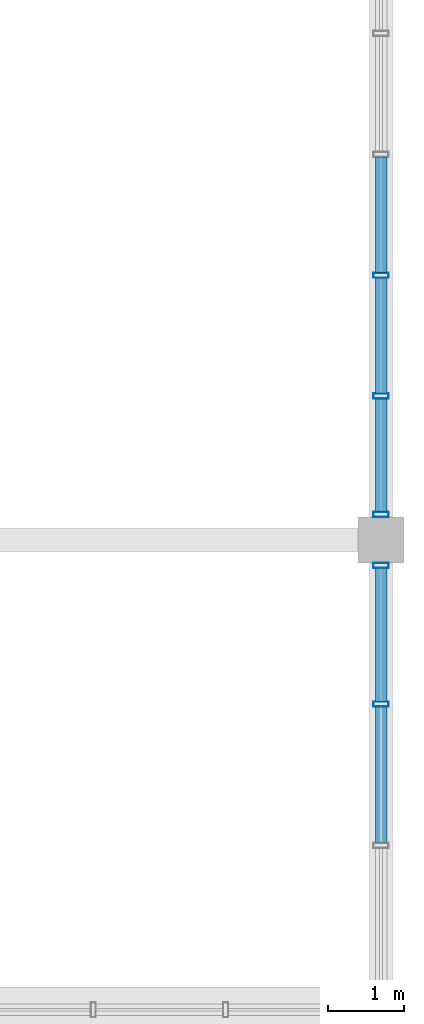
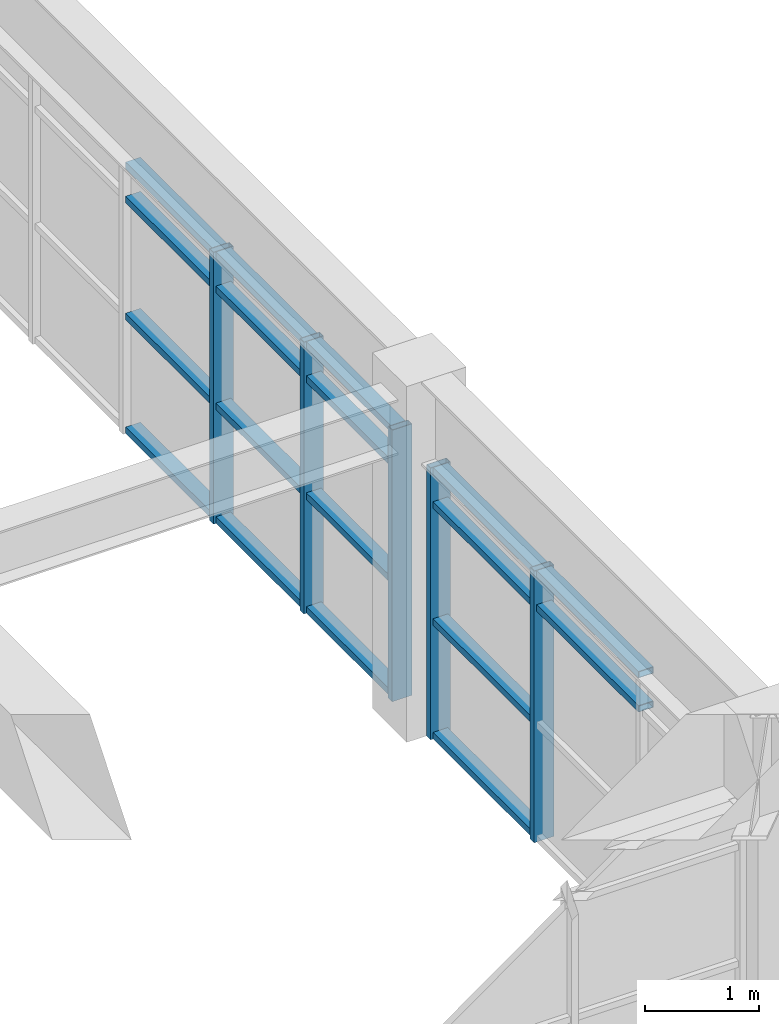
# One storey, part 8 of 28: 23 members, 2 elements without a shape of their own.
"""IFC4 building model written with IfcOpenShell, lengths in metres."""

from ifc_helpers import new_model, si_unit, direction, frame, origin, origin_2d, place, context, subcontext, project, spatial, hollow_rectangle, extrude, source, transform, mapped, material, layer, layer_set, material_profile, profile_set, type_object, element, aggregate, save


model = new_model("IFC4")

# Units and contexts
model_context = context("Model", 3, precision=1e-05, world=origin(), true_north=direction((0.0, 1.0)))
body_context = subcontext(model_context, "Body", "Model", "MODEL_VIEW")
ifc_project = project(units=[si_unit("LENGTHUNIT", "METRE"), si_unit("AREAUNIT", "SQUARE_METRE"), si_unit("VOLUMEUNIT", "CUBIC_METRE"), si_unit("PLANEANGLEUNIT", "RADIAN"), si_unit("MASSUNIT", "GRAM", prefix="KILO")], contexts=[model_context])

# Site, building, storey
site_placement = place(None, origin())
site = spatial("IfcSite", under=ifc_project, at=site_placement, CompositionType="ELEMENT")
building_placement = place(site_placement, origin())
building = spatial("IfcBuilding", under=site, at=building_placement, Name="Saelheon Loggia Tower", CompositionType="ELEMENT")
storey_placement = place(building_placement, frame((0.0, 0.0, 271.199951171875)))
storey = spatial("IfcBuildingStorey", under=building, at=storey_placement, Name="CR6", CompositionType="ELEMENT", Elevation=271.199951171875)

# Curtain wall, members
ifc_material_1 = material(Name="Bronze-Anodised Aluminium and Fritted Ceramic Screen", Category="aluminium")
ifc_layer = layer(ifc_material_1, 0.219970703125)
ifc_layer_set = layer_set([ifc_layer], Name="Bronze-Anodised Aluminium and Fritted Ceramic Screen")
curtain_wall_type = type_object("IfcCurtainWallType", Name="CW_CrownScreen", PredefinedType="NOTDEFINED", material=ifc_layer_set)
curtain_wall_1_placement = place(storey_placement, origin())
curtain_wall_1 = element("IfcCurtainWall", 1, at=curtain_wall_1_placement, inside=storey, type_object=curtain_wall_type, Name="CR6 Crown Screen Curtain Wall 3-1", PredefinedType="NOTDEFINED")
ifc_material_2 = material(Name="Bronze-Anodised Aluminium 6063-T6", Category="aluminium")
ifc_material_profile_1 = material_profile(ifc_material_2, hollow_rectangle(XDim=0.070068359375, YDim=0.199951171875, WallThickness=0.0048828125, at=origin_2d()), Name="RHS-200x70x5")
ifc_profile_set_1 = profile_set([ifc_material_profile_1], Name="Bronze-Anodised Aluminium 6063-T6")
member_type_1 = type_object("IfcMemberType", Name="CW_CrownScreen_Mullion", PredefinedType="MULLION", material=ifc_profile_set_1)
shared_shape_1 = source(origin(), body_context, "Body", "SweptSolid", [
    extrude(hollow_rectangle(XDim=0.070068359375, YDim=0.199951171875, WallThickness=0.0048828125, at=origin_2d()), origin(), (0.0, 0.0, 1.0), 2.900146484375),
])
member_1_placement = place(storey_placement, frame((52.64990234375, 15.85009765625, 0.0), z_axis=(0.0, 0.0, 1.0), x_axis=(0.0, 1.0, 0.0)))
member_1 = element("IfcMember", 2, at=member_1_placement, type_object=member_type_1, Name="CW6 mullion 3", PredefinedType="MULLION", context=body_context, shape_type="MappedRepresentation", body=[
    mapped(shared_shape_1, transform((0.0, 0.0, 0.0), scale=1.0)),
])
member_2_placement = place(storey_placement, frame((52.64990234375, 17.6650390625, 0.0), z_axis=(0.0, 0.0, 1.0), x_axis=(0.0, 1.0, 0.0)))
member_2 = element("IfcMember", 3, at=member_2_placement, type_object=member_type_1, Name="CW6 mullion 4", PredefinedType="MULLION", context=body_context, shape_type="MappedRepresentation", body=[
    mapped(shared_shape_1, transform((0.0, 0.0, 0.0), scale=1.0)),
])

curtain_wall_2_placement = place(storey_placement, origin())
curtain_wall_2 = element("IfcCurtainWall", 4, at=curtain_wall_2_placement, inside=storey, type_object=curtain_wall_type, Name="CR6 Crown Screen Curtain Wall 3-2", PredefinedType="NOTDEFINED")
member_3_placement = place(storey_placement, frame((52.64990234375, 18.3349609375, 0.0), z_axis=(0.0, 0.0, 1.0), x_axis=(0.0, 1.0, 0.0)))
member_3 = element("IfcMember", 5, at=member_3_placement, type_object=member_type_1, Name="CW6 mullion 1", PredefinedType="MULLION", context=body_context, shape_type="MappedRepresentation", body=[
    mapped(shared_shape_1, transform((0.0, 0.0, 0.0), scale=1.0)),
])
member_4_placement = place(storey_placement, frame((52.64990234375, 19.8818359375, 0.0), z_axis=(0.0, 0.0, 1.0), x_axis=(0.0, 1.0, 0.0)))
member_4 = element("IfcMember", 6, at=member_4_placement, type_object=member_type_1, Name="CW6 mullion 2", PredefinedType="MULLION", context=body_context, shape_type="MappedRepresentation", body=[
    mapped(shared_shape_1, transform((0.0, 0.0, 0.0), scale=1.0)),
])
member_5_placement = place(storey_placement, frame((52.64990234375, 21.463623046875, 0.0), z_axis=(0.0, 0.0, 1.0), x_axis=(0.0, 1.0, 0.0)))
member_5 = element("IfcMember", 7, at=member_5_placement, type_object=member_type_1, Name="CW6 mullion 3", PredefinedType="MULLION", context=body_context, shape_type="MappedRepresentation", body=[
    mapped(shared_shape_1, transform((0.0, 0.0, 0.0), scale=1.0)),
])

# Member
ifc_material_profile_2 = material_profile(ifc_material_2, hollow_rectangle(XDim=0.070068359375, YDim=0.14990234375, WallThickness=0.0048828125, at=origin_2d()), Name="RHS-150x70x5")
ifc_profile_set_2 = profile_set([ifc_material_profile_2], Name="Bronze-Anodised Aluminium 6063-T6")
member_type_2 = type_object("IfcMemberType", Name="CW_CrownScreen_Transom", PredefinedType="USERDEFINED", material=ifc_profile_set_2)
shared_shape_2 = source(origin(), body_context, "Body", "SweptSolid", [
    extrude(hollow_rectangle(XDim=0.070068359375, YDim=0.14990234375, WallThickness=0.0048828125, at=origin_2d()), origin(), (0.0, 0.0, 1.0), 1.780029296875),
])
member_6_placement = place(storey_placement, frame((52.64990234375, 14.034912109375, 2.5), z_axis=(0.0, 1.0, 0.0), x_axis=(0.0, 0.0, 1.0)))
member_6 = element("IfcMember", 8, at=member_6_placement, type_object=member_type_2, Name="CW6 transom 2.3", ObjectType="TRANSOM", PredefinedType="USERDEFINED", context=body_context, shape_type="MappedRepresentation", body=[
    mapped(shared_shape_2, transform((0.0, 0.0, 0.0), scale=1.0)),
])

member_7_placement = place(storey_placement, frame((52.64990234375, 14.034912109375, 2.864990234375), z_axis=(0.0, 1.0, 0.0), x_axis=(0.0, 0.0, 1.0)))
member_7 = element("IfcMember", 9, at=member_7_placement, type_object=member_type_2, Name="CW6 transom 2.4", ObjectType="TRANSOM", PredefinedType="USERDEFINED", context=body_context, shape_type="MappedRepresentation", body=[
    mapped(shared_shape_2, transform((0.0, 0.0, 0.0), scale=1.0)),
])

shared_shape_3 = source(origin(), body_context, "Body", "SweptSolid", [
    extrude(hollow_rectangle(XDim=0.070068359375, YDim=0.14990234375, WallThickness=0.0048828125, at=origin_2d()), origin(), (0.0, 0.0, 1.0), 1.744873046875),
])
member_8_placement = place(storey_placement, frame((52.64990234375, 15.885009765625, 0.03515625), z_axis=(0.0, 1.0, 0.0), x_axis=(0.0, 0.0, 1.0)))
member_8 = element("IfcMember", 10, at=member_8_placement, type_object=member_type_2, Name="CW6 transom 3.1", ObjectType="TRANSOM", PredefinedType="USERDEFINED", context=body_context, shape_type="MappedRepresentation", body=[
    mapped(shared_shape_3, transform((0.0, 0.0, 0.0), scale=1.0)),
])

member_9_placement = place(storey_placement, frame((52.64990234375, 15.885009765625, 1.25), z_axis=(0.0, 1.0, 0.0), x_axis=(0.0, 0.0, 1.0)))
member_9 = element("IfcMember", 11, at=member_9_placement, type_object=member_type_2, Name="CW6 transom 3.2", ObjectType="TRANSOM", PredefinedType="USERDEFINED", context=body_context, shape_type="MappedRepresentation", body=[
    mapped(shared_shape_3, transform((0.0, 0.0, 0.0), scale=1.0)),
])

member_10_placement = place(storey_placement, frame((52.64990234375, 15.885009765625, 2.5), z_axis=(0.0, 1.0, 0.0), x_axis=(0.0, 0.0, 1.0)))
member_10 = element("IfcMember", 12, at=member_10_placement, type_object=member_type_2, Name="CW6 transom 3.3", ObjectType="TRANSOM", PredefinedType="USERDEFINED", context=body_context, shape_type="MappedRepresentation", body=[
    mapped(shared_shape_3, transform((0.0, 0.0, 0.0), scale=1.0)),
])

member_11_placement = place(storey_placement, frame((52.64990234375, 15.885009765625, 2.864990234375), z_axis=(0.0, 1.0, 0.0), x_axis=(0.0, 0.0, 1.0)))
member_11 = element("IfcMember", 13, at=member_11_placement, type_object=member_type_2, Name="CW6 transom 3.4", ObjectType="TRANSOM", PredefinedType="USERDEFINED", context=body_context, shape_type="MappedRepresentation", body=[
    mapped(shared_shape_3, transform((0.0, 0.0, 0.0), scale=1.0)),
])

aggregate(curtain_wall_1, [member_1, member_2, member_6, member_7, member_8, member_9, member_10, member_11])

shared_shape_4 = source(origin(), body_context, "Body", "SweptSolid", [
    extrude(hollow_rectangle(XDim=0.070068359375, YDim=0.14990234375, WallThickness=0.0048828125, at=origin_2d()), origin(), (0.0, 0.0, 1.0), 1.476806640625),
])
member_12_placement = place(storey_placement, frame((52.64990234375, 18.3701171875, 0.03515625), z_axis=(0.0, 1.0, 0.0), x_axis=(0.0, 0.0, 1.0)))
member_12 = element("IfcMember", 14, at=member_12_placement, type_object=member_type_2, Name="CW6 transom 1.1", ObjectType="TRANSOM", PredefinedType="USERDEFINED", context=body_context, shape_type="MappedRepresentation", body=[
    mapped(shared_shape_4, transform((0.0, 0.0, 0.0), scale=1.0)),
])

member_13_placement = place(storey_placement, frame((52.64990234375, 18.3701171875, 1.25), z_axis=(0.0, 1.0, 0.0), x_axis=(0.0, 0.0, 1.0)))
member_13 = element("IfcMember", 15, at=member_13_placement, type_object=member_type_2, Name="CW6 transom 1.2", ObjectType="TRANSOM", PredefinedType="USERDEFINED", context=body_context, shape_type="MappedRepresentation", body=[
    mapped(shared_shape_4, transform((0.0, 0.0, 0.0), scale=1.0)),
])

member_14_placement = place(storey_placement, frame((52.64990234375, 18.3701171875, 2.5), z_axis=(0.0, 1.0, 0.0), x_axis=(0.0, 0.0, 1.0)))
member_14 = element("IfcMember", 16, at=member_14_placement, type_object=member_type_2, Name="CW6 transom 1.3", ObjectType="TRANSOM", PredefinedType="USERDEFINED", context=body_context, shape_type="MappedRepresentation", body=[
    mapped(shared_shape_4, transform((0.0, 0.0, 0.0), scale=1.0)),
])

member_15_placement = place(storey_placement, frame((52.64990234375, 18.3701171875, 2.864990234375), z_axis=(0.0, 1.0, 0.0), x_axis=(0.0, 0.0, 1.0)))
member_15 = element("IfcMember", 17, at=member_15_placement, type_object=member_type_2, Name="CW6 transom 1.4", ObjectType="TRANSOM", PredefinedType="USERDEFINED", context=body_context, shape_type="MappedRepresentation", body=[
    mapped(shared_shape_4, transform((0.0, 0.0, 0.0), scale=1.0)),
])

shared_shape_5 = source(origin(), body_context, "Body", "SweptSolid", [
    extrude(hollow_rectangle(XDim=0.070068359375, YDim=0.14990234375, WallThickness=0.0048828125, at=origin_2d()), origin(), (0.0, 0.0, 1.0), 1.511962890625),
])
member_16_placement = place(storey_placement, frame((52.64990234375, 19.916748046875, 0.03515625), z_axis=(0.0, 1.0, 0.0), x_axis=(0.0, 0.0, 1.0)))
member_16 = element("IfcMember", 18, at=member_16_placement, type_object=member_type_2, Name="CW6 transom 2.1", ObjectType="TRANSOM", PredefinedType="USERDEFINED", context=body_context, shape_type="MappedRepresentation", body=[
    mapped(shared_shape_5, transform((0.0, 0.0, 0.0), scale=1.0)),
])

member_17_placement = place(storey_placement, frame((52.64990234375, 19.916748046875, 1.25), z_axis=(0.0, 1.0, 0.0), x_axis=(0.0, 0.0, 1.0)))
member_17 = element("IfcMember", 19, at=member_17_placement, type_object=member_type_2, Name="CW6 transom 2.2", ObjectType="TRANSOM", PredefinedType="USERDEFINED", context=body_context, shape_type="MappedRepresentation", body=[
    mapped(shared_shape_5, transform((0.0, 0.0, 0.0), scale=1.0)),
])

member_18_placement = place(storey_placement, frame((52.64990234375, 19.916748046875, 2.5), z_axis=(0.0, 1.0, 0.0), x_axis=(0.0, 0.0, 1.0)))
member_18 = element("IfcMember", 20, at=member_18_placement, type_object=member_type_2, Name="CW6 transom 2.3", ObjectType="TRANSOM", PredefinedType="USERDEFINED", context=body_context, shape_type="MappedRepresentation", body=[
    mapped(shared_shape_5, transform((0.0, 0.0, 0.0), scale=1.0)),
])

member_19_placement = place(storey_placement, frame((52.64990234375, 19.916748046875, 2.864990234375), z_axis=(0.0, 1.0, 0.0), x_axis=(0.0, 0.0, 1.0)))
member_19 = element("IfcMember", 21, at=member_19_placement, type_object=member_type_2, Name="CW6 transom 2.4", ObjectType="TRANSOM", PredefinedType="USERDEFINED", context=body_context, shape_type="MappedRepresentation", body=[
    mapped(shared_shape_5, transform((0.0, 0.0, 0.0), scale=1.0)),
])

member_20_placement = place(storey_placement, frame((52.64990234375, 21.49853515625, 0.03515625), z_axis=(0.0, 1.0, 0.0), x_axis=(0.0, 0.0, 1.0)))
member_20 = element("IfcMember", 22, at=member_20_placement, type_object=member_type_2, Name="CW6 transom 3.1", ObjectType="TRANSOM", PredefinedType="USERDEFINED", context=body_context, shape_type="MappedRepresentation", body=[
    mapped(shared_shape_5, transform((0.0, 0.0, 0.0), scale=1.0)),
])

member_21_placement = place(storey_placement, frame((52.64990234375, 21.49853515625, 1.25), z_axis=(0.0, 1.0, 0.0), x_axis=(0.0, 0.0, 1.0)))
member_21 = element("IfcMember", 23, at=member_21_placement, type_object=member_type_2, Name="CW6 transom 3.2", ObjectType="TRANSOM", PredefinedType="USERDEFINED", context=body_context, shape_type="MappedRepresentation", body=[
    mapped(shared_shape_5, transform((0.0, 0.0, 0.0), scale=1.0)),
])

member_22_placement = place(storey_placement, frame((52.64990234375, 21.49853515625, 2.5), z_axis=(0.0, 1.0, 0.0), x_axis=(0.0, 0.0, 1.0)))
member_22 = element("IfcMember", 24, at=member_22_placement, type_object=member_type_2, Name="CW6 transom 3.3", ObjectType="TRANSOM", PredefinedType="USERDEFINED", context=body_context, shape_type="MappedRepresentation", body=[
    mapped(shared_shape_5, transform((0.0, 0.0, 0.0), scale=1.0)),
])

member_23_placement = place(storey_placement, frame((52.64990234375, 21.49853515625, 2.864990234375), z_axis=(0.0, 1.0, 0.0), x_axis=(0.0, 0.0, 1.0)))
member_23 = element("IfcMember", 25, at=member_23_placement, type_object=member_type_2, Name="CW6 transom 3.4", ObjectType="TRANSOM", PredefinedType="USERDEFINED", context=body_context, shape_type="MappedRepresentation", body=[
    mapped(shared_shape_5, transform((0.0, 0.0, 0.0), scale=1.0)),
])

aggregate(curtain_wall_2, [member_3, member_4, member_5, member_12, member_13, member_14, member_15, member_16, member_17, member_18, member_19, member_20, member_21, member_22, member_23])

save(model, "model.ifc")
